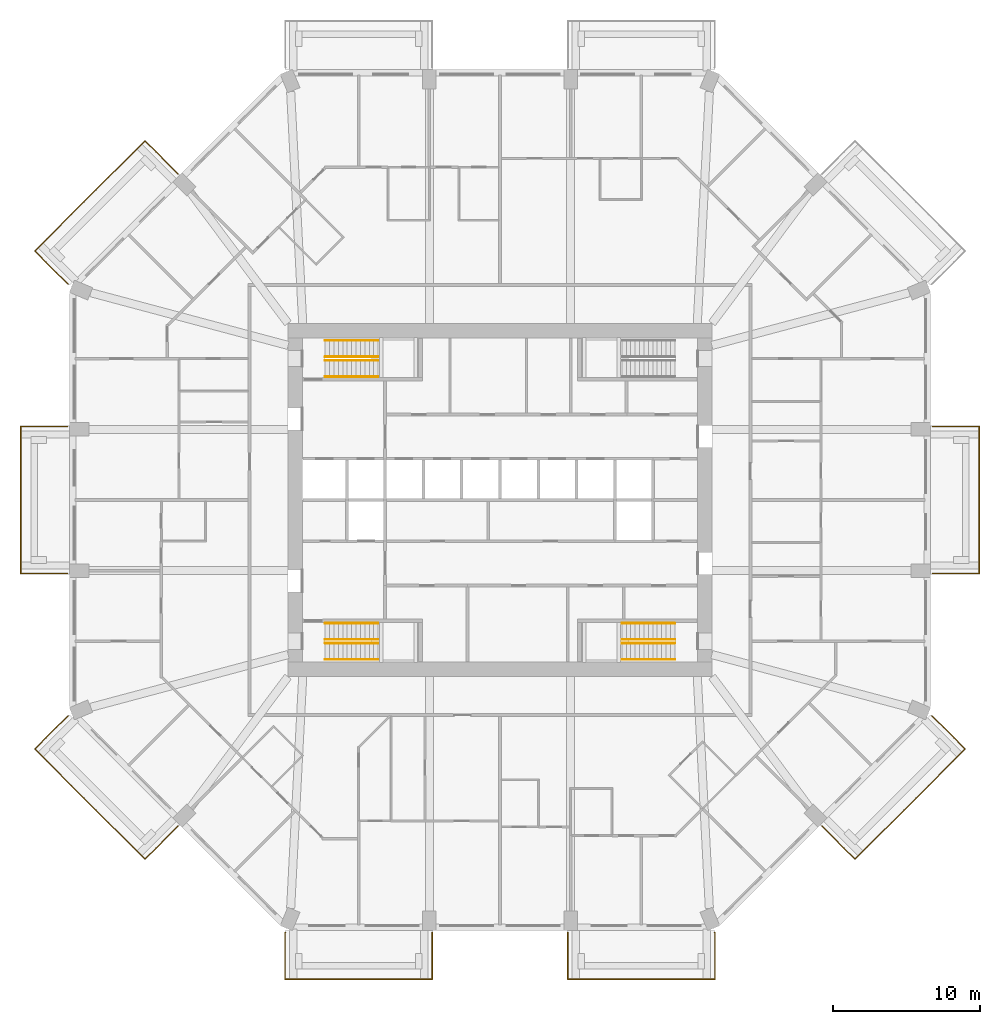
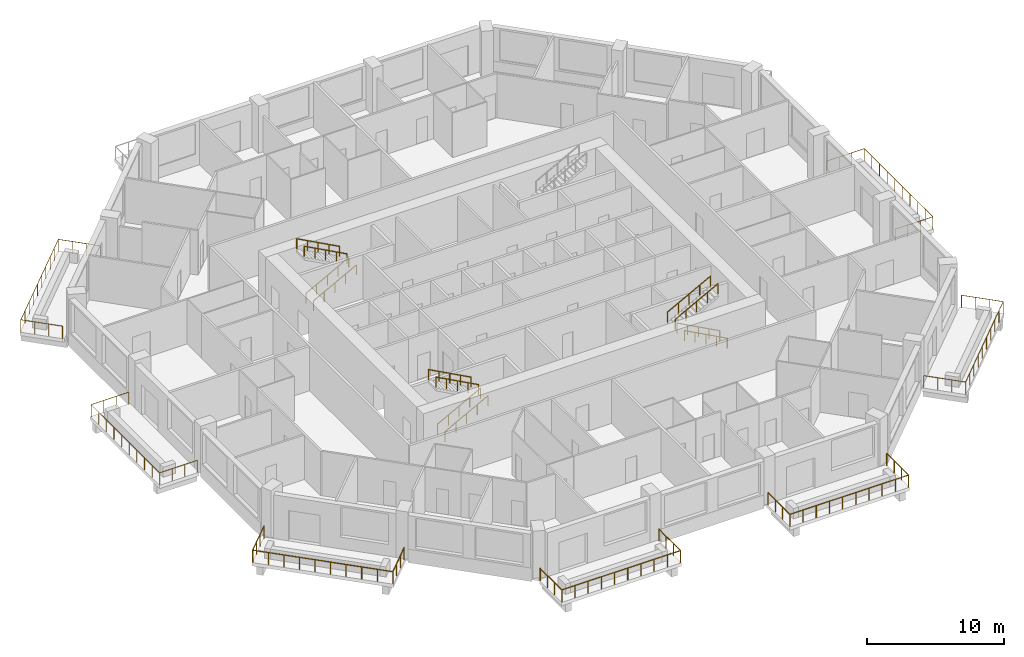
# One storey, part 12 of 13: 19 railings.
"""IFC4 building model written with IfcOpenShell, lengths in metres."""

from ifc_helpers import new_model, si_unit, direction, frame, origin, origin_2d, place, context, subcontext, project, spatial, circle, extrude, material, constituent, constituent_set, type_object, element, save


model = new_model("IFC4")

# Units and contexts
model_context = context("Model", 3, precision=1e-05, world=origin(), true_north=direction((0.0, 1.0)))
body_context = subcontext(model_context, "Body", "Model", "MODEL_VIEW")
ifc_project = project(units=[si_unit("LENGTHUNIT", "METRE"), si_unit("AREAUNIT", "SQUARE_METRE"), si_unit("VOLUMEUNIT", "CUBIC_METRE"), si_unit("PLANEANGLEUNIT", "RADIAN"), si_unit("MASSUNIT", "GRAM", prefix="KILO")], contexts=[model_context])

# Site, building, storey
site_placement = place(None, origin())
site = spatial("IfcSite", under=ifc_project, at=site_placement, CompositionType="ELEMENT")
building_placement = place(site_placement, origin())
building = spatial("IfcBuilding", under=site, at=building_placement, Name="Msitu Wima Residences", CompositionType="ELEMENT")
storey_placement = place(building_placement, frame((0.0, 0.0, 42.300048828125)))
storey = spatial("IfcBuildingStorey", under=building, at=storey_placement, Name="L09", CompositionType="ELEMENT", Elevation=42.300048828125)

# Railings
ifc_material_1 = material(Name="Steel S355", Category="steel")
ifc_constituent_1 = constituent(ifc_material_1, Name="Steel S355")
ifc_material_2 = material(Name="Weathering patina")
ifc_constituent_2 = constituent(ifc_material_2, Name="Weathering patina")
ifc_constituent_set_1 = constituent_set(constituents=[ifc_constituent_1, ifc_constituent_2], Name="Steel S355")
railing_type_1 = type_object("IfcRailingType", Name="Balcony guard GR1100", PredefinedType="GUARDRAIL", material=ifc_constituent_set_1)
railing_1_placement = place(storey_placement, frame((29.3798828125, 5.0, 0.0)))
element("IfcRailing", 1, at=railing_1_placement, inside=storey, type_object=railing_type_1, Name="Balcony guard E1 L09", PredefinedType="GUARDRAIL", context=body_context, shape_type="SweptSolid", body=[
    extrude(circle(Radius=0.02392578125, at=origin_2d()), frame((0.0, 0.0, 1.076171875), z_axis=(1.0, 0.0, 0.0), x_axis=(0.0, 1.0, 0.0)), (0.0, 0.0, 1.0), 3.170166015625),
    extrude(circle(Radius=0.02392578125, at=origin_2d()), frame((3.170166015625, 0.0, 1.076171875), z_axis=(0.0, -1.0, 0.0), x_axis=(1.0, 0.0, 0.0)), (0.0, 0.0, 1.0), 10.0),
    extrude(circle(Radius=0.02392578125, at=origin_2d()), frame((3.170166015625, -10.0, 1.076171875), z_axis=(-1.0, 0.0, 0.0), x_axis=(0.0, -1.0, 0.0)), (0.0, 0.0, 1.0), 3.170166015625),
    extrude(circle(Radius=0.02099609375, at=origin_2d()), origin(), (0.0, 0.0, 1.0), 1.052001953125),
    extrude(circle(Radius=0.02099609375, at=origin_2d()), frame((1.056640625, 0.0, 0.0)), (0.0, 0.0, 1.0), 1.052001953125),
    extrude(circle(Radius=0.02099609375, at=origin_2d()), frame((2.113525390625, 0.0, 0.0)), (0.0, 0.0, 1.0), 1.052001953125),
    extrude(circle(Radius=0.02099609375, at=origin_2d()), frame((3.170166015625, 0.0, 0.0)), (0.0, 0.0, 1.0), 1.052001953125),
    extrude(circle(Radius=0.02099609375, at=origin_2d()), frame((3.170166015625, -1.111083984375, 0.0)), (0.0, 0.0, 1.0), 1.052001953125),
    extrude(circle(Radius=0.02099609375, at=origin_2d()), frame((3.170166015625, -2.22216796875, 0.0)), (0.0, 0.0, 1.0), 1.052001953125),
    extrude(circle(Radius=0.02099609375, at=origin_2d()), frame((3.170166015625, -3.333251953125, 0.0)), (0.0, 0.0, 1.0), 1.052001953125),
    extrude(circle(Radius=0.02099609375, at=origin_2d()), frame((3.170166015625, -4.4443359375, 0.0)), (0.0, 0.0, 1.0), 1.052001953125),
    extrude(circle(Radius=0.02099609375, at=origin_2d()), frame((3.170166015625, -5.5556640625, 0.0)), (0.0, 0.0, 1.0), 1.052001953125),
    extrude(circle(Radius=0.02099609375, at=origin_2d()), frame((3.170166015625, -6.666748046875, 0.0)), (0.0, 0.0, 1.0), 1.052001953125),
    extrude(circle(Radius=0.02099609375, at=origin_2d()), frame((3.170166015625, -7.77783203125, 0.0)), (0.0, 0.0, 1.0), 1.052001953125),
    extrude(circle(Radius=0.02099609375, at=origin_2d()), frame((3.170166015625, -8.888916015625, 0.0)), (0.0, 0.0, 1.0), 1.052001953125),
    extrude(circle(Radius=0.02099609375, at=origin_2d()), frame((3.170166015625, -10.0, 0.0)), (0.0, 0.0, 1.0), 1.052001953125),
    extrude(circle(Radius=0.02099609375, at=origin_2d()), frame((2.113525390625, -10.0, 0.0)), (0.0, 0.0, 1.0), 1.052001953125),
    extrude(circle(Radius=0.02099609375, at=origin_2d()), frame((1.056640625, -10.0, 0.0)), (0.0, 0.0, 1.0), 1.052001953125),
    extrude(circle(Radius=0.02099609375, at=origin_2d()), frame((0.0, -10.0, 0.0)), (0.0, 0.0, 1.0), 1.052001953125),
])
railing_2_placement = place(storey_placement, frame((-29.341796875, 14.678466796875, 0.0)))
element("IfcRailing", 2, at=railing_2_placement, inside=storey, type_object=railing_type_1, Name="Balcony guard NW1 L09", PredefinedType="GUARDRAIL", context=body_context, shape_type="SweptSolid", body=[
    extrude(circle(Radius=0.02392578125, at=origin_2d()), frame((0.0, 0.0, 1.076171875), z_axis=(-0.923276184907, 0.384136806859, 0.0), x_axis=(-0.384136806859, -0.923276184907, 0.0)), (0.0, 0.0, 1.0), 0.0361328125),
    extrude(circle(Radius=0.02392578125, at=origin_2d()), frame((-0.033447265625, 0.013916015625, 1.076171875), z_axis=(-0.707106781187, 0.707106781187, 0.0), x_axis=(-0.707106781187, -0.707106781187, 0.0)), (0.0, 0.0, 1.0), 3.136474609375),
    extrude(circle(Radius=0.02392578125, at=origin_2d()), frame((-2.251220703125, 2.231689453125, 1.076171875), z_axis=(0.70709524572, 0.707118316465, 0.0), x_axis=(-0.707118316465, 0.70709524572, 0.0)), (0.0, 0.0, 1.0), 10.582275390625),
    extrude(circle(Radius=0.02392578125, at=origin_2d()), frame((5.2314453125, 9.714599609375, 1.076171875), z_axis=(0.707145287287, -0.707068272989, 0.0), x_axis=(0.707068272989, 0.707145287287, 0.0)), (0.0, 0.0, 1.0), 3.170166015625),
    extrude(circle(Radius=0.02099609375, at=origin_2d()), origin(), (0.0, 0.0, 1.0), 1.052001953125),
    extrude(circle(Radius=0.02099609375, at=origin_2d()), frame((-0.033447265625, 0.013916015625, 0.0)), (0.0, 0.0, 1.0), 1.052001953125),
    extrude(circle(Radius=0.02099609375, at=origin_2d()), frame((-0.772705078125, 0.753173828125, 0.0)), (0.0, 0.0, 1.0), 1.052001953125),
    extrude(circle(Radius=0.02099609375, at=origin_2d()), frame((-1.511962890625, 1.492431640625, 0.0)), (0.0, 0.0, 1.0), 1.052001953125),
    extrude(circle(Radius=0.02099609375, at=origin_2d()), frame((-2.251220703125, 2.231689453125, 0.0)), (0.0, 0.0, 1.0), 1.052001953125),
    extrude(circle(Radius=0.02099609375, at=origin_2d()), frame((-1.419921875, 3.063232421875, 0.0)), (0.0, 0.0, 1.0), 1.052001953125),
    extrude(circle(Radius=0.02099609375, at=origin_2d()), frame((-0.58837890625, 3.89453125, 0.0)), (0.0, 0.0, 1.0), 1.052001953125),
    extrude(circle(Radius=0.02099609375, at=origin_2d()), frame((0.242919921875, 4.72607421875, 0.0)), (0.0, 0.0, 1.0), 1.052001953125),
    extrude(circle(Radius=0.02099609375, at=origin_2d()), frame((1.074462890625, 5.557373046875, 0.0)), (0.0, 0.0, 1.0), 1.052001953125),
    extrude(circle(Radius=0.02099609375, at=origin_2d()), frame((1.90576171875, 6.388916015625, 0.0)), (0.0, 0.0, 1.0), 1.052001953125),
    extrude(circle(Radius=0.02099609375, at=origin_2d()), frame((2.7373046875, 7.22021484375, 0.0)), (0.0, 0.0, 1.0), 1.052001953125),
    extrude(circle(Radius=0.02099609375, at=origin_2d()), frame((3.568603515625, 8.0517578125, 0.0)), (0.0, 0.0, 1.0), 1.052001953125),
    extrude(circle(Radius=0.02099609375, at=origin_2d()), frame((4.400146484375, 8.883056640625, 0.0)), (0.0, 0.0, 1.0), 1.052001953125),
    extrude(circle(Radius=0.02099609375, at=origin_2d()), frame((5.2314453125, 9.714599609375, 0.0)), (0.0, 0.0, 1.0), 1.052001953125),
    extrude(circle(Radius=0.02099609375, at=origin_2d()), frame((5.978759765625, 8.967529296875, 0.0)), (0.0, 0.0, 1.0), 1.052001953125),
    extrude(circle(Radius=0.02099609375, at=origin_2d()), frame((6.725830078125, 8.22021484375, 0.0)), (0.0, 0.0, 1.0), 1.052001953125),
    extrude(circle(Radius=0.02099609375, at=origin_2d()), frame((7.47314453125, 7.47314453125, 0.0)), (0.0, 0.0, 1.0), 1.052001953125),
])
railing_3_placement = place(storey_placement, frame((-29.3798828125, -5.0, 0.0)))
element("IfcRailing", 3, at=railing_3_placement, inside=storey, type_object=railing_type_1, Name="Balcony guard W1 L09", PredefinedType="GUARDRAIL", context=body_context, shape_type="SweptSolid", body=[
    extrude(circle(Radius=0.02392578125, at=origin_2d()), frame((0.0, 0.0, 1.076171875), z_axis=(-1.0, 0.0, 0.0), x_axis=(0.0, -1.0, 0.0)), (0.0, 0.0, 1.0), 3.170166015625),
    extrude(circle(Radius=0.02392578125, at=origin_2d()), frame((-3.170166015625, 0.0, 1.076171875), z_axis=(0.0, 1.0, 0.0), x_axis=(-1.0, 0.0, 0.0)), (0.0, 0.0, 1.0), 10.0),
    extrude(circle(Radius=0.02392578125, at=origin_2d()), frame((-3.170166015625, 10.0, 1.076171875), z_axis=(1.0, 0.0, 0.0), x_axis=(0.0, 1.0, 0.0)), (0.0, 0.0, 1.0), 3.170166015625),
    extrude(circle(Radius=0.02099609375, at=origin_2d()), origin(), (0.0, 0.0, 1.0), 1.052001953125),
    extrude(circle(Radius=0.02099609375, at=origin_2d()), frame((-1.056640625, 0.0, 0.0)), (0.0, 0.0, 1.0), 1.052001953125),
    extrude(circle(Radius=0.02099609375, at=origin_2d()), frame((-2.113525390625, 0.0, 0.0)), (0.0, 0.0, 1.0), 1.052001953125),
    extrude(circle(Radius=0.02099609375, at=origin_2d()), frame((-3.170166015625, 0.0, 0.0)), (0.0, 0.0, 1.0), 1.052001953125),
    extrude(circle(Radius=0.02099609375, at=origin_2d()), frame((-3.170166015625, 1.111083984375, 0.0)), (0.0, 0.0, 1.0), 1.052001953125),
    extrude(circle(Radius=0.02099609375, at=origin_2d()), frame((-3.170166015625, 2.22216796875, 0.0)), (0.0, 0.0, 1.0), 1.052001953125),
    extrude(circle(Radius=0.02099609375, at=origin_2d()), frame((-3.170166015625, 3.333251953125, 0.0)), (0.0, 0.0, 1.0), 1.052001953125),
    extrude(circle(Radius=0.02099609375, at=origin_2d()), frame((-3.170166015625, 4.4443359375, 0.0)), (0.0, 0.0, 1.0), 1.052001953125),
    extrude(circle(Radius=0.02099609375, at=origin_2d()), frame((-3.170166015625, 5.5556640625, 0.0)), (0.0, 0.0, 1.0), 1.052001953125),
    extrude(circle(Radius=0.02099609375, at=origin_2d()), frame((-3.170166015625, 6.666748046875, 0.0)), (0.0, 0.0, 1.0), 1.052001953125),
    extrude(circle(Radius=0.02099609375, at=origin_2d()), frame((-3.170166015625, 7.77783203125, 0.0)), (0.0, 0.0, 1.0), 1.052001953125),
    extrude(circle(Radius=0.02099609375, at=origin_2d()), frame((-3.170166015625, 8.888916015625, 0.0)), (0.0, 0.0, 1.0), 1.052001953125),
    extrude(circle(Radius=0.02099609375, at=origin_2d()), frame((-3.170166015625, 10.0, 0.0)), (0.0, 0.0, 1.0), 1.052001953125),
    extrude(circle(Radius=0.02099609375, at=origin_2d()), frame((-2.113525390625, 10.0, 0.0)), (0.0, 0.0, 1.0), 1.052001953125),
    extrude(circle(Radius=0.02099609375, at=origin_2d()), frame((-1.056640625, 10.0, 0.0)), (0.0, 0.0, 1.0), 1.052001953125),
    extrude(circle(Radius=0.02099609375, at=origin_2d()), frame((0.0, 10.0, 0.0)), (0.0, 0.0, 1.0), 1.052001953125),
])
railing_4_placement = place(storey_placement, frame((-21.86865234375, -22.151611328125, 0.0)))
element("IfcRailing", 4, at=railing_4_placement, inside=storey, type_object=railing_type_1, Name="Balcony guard SW0 L09", PredefinedType="GUARDRAIL", context=body_context, shape_type="SweptSolid", body=[
    extrude(circle(Radius=0.02392578125, at=origin_2d()), frame((0.0, 0.0, 1.076171875), z_axis=(-0.707145287287, -0.707068272989, 0.0), x_axis=(0.707068272989, -0.707145287287, 0.0)), (0.0, 0.0, 1.0), 3.170166015625),
    extrude(circle(Radius=0.02392578125, at=origin_2d()), frame((-2.24169921875, -2.241455078125, 1.076171875), z_axis=(-0.70709524572, 0.707118316465, 0.0), x_axis=(-0.707118316465, -0.70709524572, 0.0)), (0.0, 0.0, 1.0), 10.582275390625),
    extrude(circle(Radius=0.02392578125, at=origin_2d()), frame((-9.724365234375, 5.241455078125, 1.076171875), z_axis=(0.707106781187, 0.707106781187, 0.0), x_axis=(-0.707106781187, 0.707106781187, 0.0)), (0.0, 0.0, 1.0), 3.136474609375),
    extrude(circle(Radius=0.02392578125, at=origin_2d()), frame((-7.506591796875, 7.459228515625, 1.076171875), z_axis=(0.923276184907, 0.384136806859, 0.0), x_axis=(-0.384136806859, 0.923276184907, 0.0)), (0.0, 0.0, 1.0), 0.0361328125),
    extrude(circle(Radius=0.02099609375, at=origin_2d()), origin(), (0.0, 0.0, 1.0), 1.052001953125),
    extrude(circle(Radius=0.02099609375, at=origin_2d()), frame((-0.747314453125, -0.7470703125, 0.0)), (0.0, 0.0, 1.0), 1.052001953125),
    extrude(circle(Radius=0.02099609375, at=origin_2d()), frame((-1.494384765625, -1.494384765625, 0.0)), (0.0, 0.0, 1.0), 1.052001953125),
    extrude(circle(Radius=0.02099609375, at=origin_2d()), frame((-2.24169921875, -2.241455078125, 0.0)), (0.0, 0.0, 1.0), 1.052001953125),
    extrude(circle(Radius=0.02099609375, at=origin_2d()), frame((-3.072998046875, -1.409912109375, 0.0)), (0.0, 0.0, 1.0), 1.052001953125),
    extrude(circle(Radius=0.02099609375, at=origin_2d()), frame((-3.904541015625, -0.57861328125, 0.0)), (0.0, 0.0, 1.0), 1.052001953125),
    extrude(circle(Radius=0.02099609375, at=origin_2d()), frame((-4.73583984375, 0.2529296875, 0.0)), (0.0, 0.0, 1.0), 1.052001953125),
    extrude(circle(Radius=0.02099609375, at=origin_2d()), frame((-5.5673828125, 1.084228515625, 0.0)), (0.0, 0.0, 1.0), 1.052001953125),
    extrude(circle(Radius=0.02099609375, at=origin_2d()), frame((-6.398681640625, 1.915771484375, 0.0)), (0.0, 0.0, 1.0), 1.052001953125),
    extrude(circle(Radius=0.02099609375, at=origin_2d()), frame((-7.230224609375, 2.7470703125, 0.0)), (0.0, 0.0, 1.0), 1.052001953125),
    extrude(circle(Radius=0.02099609375, at=origin_2d()), frame((-8.0615234375, 3.57861328125, 0.0)), (0.0, 0.0, 1.0), 1.052001953125),
    extrude(circle(Radius=0.02099609375, at=origin_2d()), frame((-8.89306640625, 4.409912109375, 0.0)), (0.0, 0.0, 1.0), 1.052001953125),
    extrude(circle(Radius=0.02099609375, at=origin_2d()), frame((-9.724365234375, 5.241455078125, 0.0)), (0.0, 0.0, 1.0), 1.052001953125),
    extrude(circle(Radius=0.02099609375, at=origin_2d()), frame((-8.985107421875, 5.980712890625, 0.0)), (0.0, 0.0, 1.0), 1.052001953125),
    extrude(circle(Radius=0.02099609375, at=origin_2d()), frame((-8.245849609375, 6.719970703125, 0.0)), (0.0, 0.0, 1.0), 1.052001953125),
    extrude(circle(Radius=0.02099609375, at=origin_2d()), frame((-7.506591796875, 7.459228515625, 0.0)), (0.0, 0.0, 1.0), 1.052001953125),
    extrude(circle(Radius=0.02099609375, at=origin_2d()), frame((-7.47314453125, 7.47314453125, 0.0)), (0.0, 0.0, 1.0), 1.052001953125),
])
railing_5_placement = place(storey_placement, frame((-4.60009765625, -29.3798828125, 0.0)))
element("IfcRailing", 5, at=railing_5_placement, inside=storey, type_object=railing_type_1, Name="Balcony guard S0 L09", PredefinedType="GUARDRAIL", context=body_context, shape_type="SweptSolid", body=[
    extrude(circle(Radius=0.02392578125, at=origin_2d()), frame((0.0, 0.0, 1.076171875), z_axis=(0.0, -1.0, 0.0), x_axis=(1.0, 0.0, 0.0)), (0.0, 0.0, 1.0), 3.170166015625),
    extrude(circle(Radius=0.02392578125, at=origin_2d()), frame((0.0, -3.170166015625, 1.076171875), z_axis=(-1.0, 0.0, 0.0), x_axis=(0.0, -1.0, 0.0)), (0.0, 0.0, 1.0), 10.0),
    extrude(circle(Radius=0.02392578125, at=origin_2d()), frame((-10.0, -3.170166015625, 1.076171875), z_axis=(0.0, 1.0, 0.0), x_axis=(-1.0, 0.0, 0.0)), (0.0, 0.0, 1.0), 3.136474609375),
    extrude(circle(Radius=0.02392578125, at=origin_2d()), frame((-10.0, -0.03369140625, 1.076171875), z_axis=(0.38176015442, 0.92426142649, 0.0), x_axis=(-0.92426142649, 0.38176015442, 0.0)), (0.0, 0.0, 1.0), 0.036376953125),
    extrude(circle(Radius=0.02099609375, at=origin_2d()), origin(), (0.0, 0.0, 1.0), 1.052001953125),
    extrude(circle(Radius=0.02099609375, at=origin_2d()), frame((0.0, -1.056640625, 0.0)), (0.0, 0.0, 1.0), 1.052001953125),
    extrude(circle(Radius=0.02099609375, at=origin_2d()), frame((0.0, -2.113525390625, 0.0)), (0.0, 0.0, 1.0), 1.052001953125),
    extrude(circle(Radius=0.02099609375, at=origin_2d()), frame((0.0, -3.170166015625, 0.0)), (0.0, 0.0, 1.0), 1.052001953125),
    extrude(circle(Radius=0.02099609375, at=origin_2d()), frame((-1.111083984375, -3.170166015625, 0.0)), (0.0, 0.0, 1.0), 1.052001953125),
    extrude(circle(Radius=0.02099609375, at=origin_2d()), frame((-2.22216796875, -3.170166015625, 0.0)), (0.0, 0.0, 1.0), 1.052001953125),
    extrude(circle(Radius=0.02099609375, at=origin_2d()), frame((-3.333251953125, -3.170166015625, 0.0)), (0.0, 0.0, 1.0), 1.052001953125),
    extrude(circle(Radius=0.02099609375, at=origin_2d()), frame((-4.4443359375, -3.170166015625, 0.0)), (0.0, 0.0, 1.0), 1.052001953125),
    extrude(circle(Radius=0.02099609375, at=origin_2d()), frame((-5.5556640625, -3.170166015625, 0.0)), (0.0, 0.0, 1.0), 1.052001953125),
    extrude(circle(Radius=0.02099609375, at=origin_2d()), frame((-6.666748046875, -3.170166015625, 0.0)), (0.0, 0.0, 1.0), 1.052001953125),
    extrude(circle(Radius=0.02099609375, at=origin_2d()), frame((-7.77783203125, -3.170166015625, 0.0)), (0.0, 0.0, 1.0), 1.052001953125),
    extrude(circle(Radius=0.02099609375, at=origin_2d()), frame((-8.888916015625, -3.170166015625, 0.0)), (0.0, 0.0, 1.0), 1.052001953125),
    extrude(circle(Radius=0.02099609375, at=origin_2d()), frame((-10.0, -3.170166015625, 0.0)), (0.0, 0.0, 1.0), 1.052001953125),
    extrude(circle(Radius=0.02099609375, at=origin_2d()), frame((-10.0, -2.124755859375, 0.0)), (0.0, 0.0, 1.0), 1.052001953125),
    extrude(circle(Radius=0.02099609375, at=origin_2d()), frame((-10.0, -1.0791015625, 0.0)), (0.0, 0.0, 1.0), 1.052001953125),
    extrude(circle(Radius=0.02099609375, at=origin_2d()), frame((-10.0, -0.03369140625, 0.0)), (0.0, 0.0, 1.0), 1.052001953125),
    extrude(circle(Radius=0.02099609375, at=origin_2d()), frame((-9.986083984375, 0.0, 0.0)), (0.0, 0.0, 1.0), 1.052001953125),
])
railing_6_placement = place(storey_placement, frame((14.586181640625, -29.3798828125, 0.0)))
element("IfcRailing", 6, at=railing_6_placement, inside=storey, type_object=railing_type_1, Name="Balcony guard S2 L09", PredefinedType="GUARDRAIL", context=body_context, shape_type="SweptSolid", body=[
    extrude(circle(Radius=0.02392578125, at=origin_2d()), frame((0.0, 0.0, 1.076171875), z_axis=(0.38176015442, -0.92426142649, 0.0), x_axis=(0.92426142649, 0.38176015442, 0.0)), (0.0, 0.0, 1.0), 0.036376953125),
    extrude(circle(Radius=0.02392578125, at=origin_2d()), frame((0.013916015625, -0.03369140625, 1.076171875), z_axis=(0.0, -1.0, 0.0), x_axis=(1.0, 0.0, 0.0)), (0.0, 0.0, 1.0), 3.136474609375),
    extrude(circle(Radius=0.02392578125, at=origin_2d()), frame((0.013916015625, -3.170166015625, 1.076171875), z_axis=(-1.0, 0.0, 0.0), x_axis=(0.0, -1.0, 0.0)), (0.0, 0.0, 1.0), 10.0),
    extrude(circle(Radius=0.02392578125, at=origin_2d()), frame((-9.986083984375, -3.170166015625, 1.076171875), z_axis=(0.0, 1.0, 0.0), x_axis=(-1.0, 0.0, 0.0)), (0.0, 0.0, 1.0), 3.170166015625),
    extrude(circle(Radius=0.02099609375, at=origin_2d()), origin(), (0.0, 0.0, 1.0), 1.052001953125),
    extrude(circle(Radius=0.02099609375, at=origin_2d()), frame((0.013916015625, -0.03369140625, 0.0)), (0.0, 0.0, 1.0), 1.052001953125),
    extrude(circle(Radius=0.02099609375, at=origin_2d()), frame((0.013916015625, -1.0791015625, 0.0)), (0.0, 0.0, 1.0), 1.052001953125),
    extrude(circle(Radius=0.02099609375, at=origin_2d()), frame((0.013916015625, -2.124755859375, 0.0)), (0.0, 0.0, 1.0), 1.052001953125),
    extrude(circle(Radius=0.02099609375, at=origin_2d()), frame((0.013916015625, -3.170166015625, 0.0)), (0.0, 0.0, 1.0), 1.052001953125),
    extrude(circle(Radius=0.02099609375, at=origin_2d()), frame((-1.09716796875, -3.170166015625, 0.0)), (0.0, 0.0, 1.0), 1.052001953125),
    extrude(circle(Radius=0.02099609375, at=origin_2d()), frame((-2.208251953125, -3.170166015625, 0.0)), (0.0, 0.0, 1.0), 1.052001953125),
    extrude(circle(Radius=0.02099609375, at=origin_2d()), frame((-3.3193359375, -3.170166015625, 0.0)), (0.0, 0.0, 1.0), 1.052001953125),
    extrude(circle(Radius=0.02099609375, at=origin_2d()), frame((-4.430419921875, -3.170166015625, 0.0)), (0.0, 0.0, 1.0), 1.052001953125),
    extrude(circle(Radius=0.02099609375, at=origin_2d()), frame((-5.541748046875, -3.170166015625, 0.0)), (0.0, 0.0, 1.0), 1.052001953125),
    extrude(circle(Radius=0.02099609375, at=origin_2d()), frame((-6.65283203125, -3.170166015625, 0.0)), (0.0, 0.0, 1.0), 1.052001953125),
    extrude(circle(Radius=0.02099609375, at=origin_2d()), frame((-7.763916015625, -3.170166015625, 0.0)), (0.0, 0.0, 1.0), 1.052001953125),
    extrude(circle(Radius=0.02099609375, at=origin_2d()), frame((-8.875, -3.170166015625, 0.0)), (0.0, 0.0, 1.0), 1.052001953125),
    extrude(circle(Radius=0.02099609375, at=origin_2d()), frame((-9.986083984375, -3.170166015625, 0.0)), (0.0, 0.0, 1.0), 1.052001953125),
    extrude(circle(Radius=0.02099609375, at=origin_2d()), frame((-9.986083984375, -2.113525390625, 0.0)), (0.0, 0.0, 1.0), 1.052001953125),
    extrude(circle(Radius=0.02099609375, at=origin_2d()), frame((-9.986083984375, -1.056640625, 0.0)), (0.0, 0.0, 1.0), 1.052001953125),
    extrude(circle(Radius=0.02099609375, at=origin_2d()), frame((-9.986083984375, 0.0, 0.0)), (0.0, 0.0, 1.0), 1.052001953125),
])
railing_7_placement = place(storey_placement, frame((29.341796875, -14.678466796875, 0.0)))
element("IfcRailing", 7, at=railing_7_placement, inside=storey, type_object=railing_type_1, Name="Balcony guard SE1 L09", PredefinedType="GUARDRAIL", context=body_context, shape_type="SweptSolid", body=[
    extrude(circle(Radius=0.02392578125, at=origin_2d()), frame((0.0, 0.0, 1.076171875), z_axis=(0.923276184907, -0.384136806859, 0.0), x_axis=(0.384136806859, 0.923276184907, 0.0)), (0.0, 0.0, 1.0), 0.0361328125),
    extrude(circle(Radius=0.02392578125, at=origin_2d()), frame((0.033447265625, -0.013916015625, 1.076171875), z_axis=(0.707106781187, -0.707106781187, 0.0), x_axis=(0.707106781187, 0.707106781187, 0.0)), (0.0, 0.0, 1.0), 3.136474609375),
    extrude(circle(Radius=0.02392578125, at=origin_2d()), frame((2.251220703125, -2.231689453125, 1.076171875), z_axis=(-0.70709524572, -0.707118316465, 0.0), x_axis=(0.707118316465, -0.70709524572, 0.0)), (0.0, 0.0, 1.0), 10.582275390625),
    extrude(circle(Radius=0.02392578125, at=origin_2d()), frame((-5.2314453125, -9.714599609375, 1.076171875), z_axis=(-0.707145287287, 0.707068272989, 0.0), x_axis=(-0.707068272989, -0.707145287287, 0.0)), (0.0, 0.0, 1.0), 3.170166015625),
    extrude(circle(Radius=0.02099609375, at=origin_2d()), origin(), (0.0, 0.0, 1.0), 1.052001953125),
    extrude(circle(Radius=0.02099609375, at=origin_2d()), frame((0.033447265625, -0.013916015625, 0.0)), (0.0, 0.0, 1.0), 1.052001953125),
    extrude(circle(Radius=0.02099609375, at=origin_2d()), frame((0.772705078125, -0.753173828125, 0.0)), (0.0, 0.0, 1.0), 1.052001953125),
    extrude(circle(Radius=0.02099609375, at=origin_2d()), frame((1.511962890625, -1.492431640625, 0.0)), (0.0, 0.0, 1.0), 1.052001953125),
    extrude(circle(Radius=0.02099609375, at=origin_2d()), frame((2.251220703125, -2.231689453125, 0.0)), (0.0, 0.0, 1.0), 1.052001953125),
    extrude(circle(Radius=0.02099609375, at=origin_2d()), frame((1.419921875, -3.063232421875, 0.0)), (0.0, 0.0, 1.0), 1.052001953125),
    extrude(circle(Radius=0.02099609375, at=origin_2d()), frame((0.58837890625, -3.89453125, 0.0)), (0.0, 0.0, 1.0), 1.052001953125),
    extrude(circle(Radius=0.02099609375, at=origin_2d()), frame((-0.242919921875, -4.72607421875, 0.0)), (0.0, 0.0, 1.0), 1.052001953125),
    extrude(circle(Radius=0.02099609375, at=origin_2d()), frame((-1.074462890625, -5.557373046875, 0.0)), (0.0, 0.0, 1.0), 1.052001953125),
    extrude(circle(Radius=0.02099609375, at=origin_2d()), frame((-1.90576171875, -6.388916015625, 0.0)), (0.0, 0.0, 1.0), 1.052001953125),
    extrude(circle(Radius=0.02099609375, at=origin_2d()), frame((-2.7373046875, -7.22021484375, 0.0)), (0.0, 0.0, 1.0), 1.052001953125),
    extrude(circle(Radius=0.02099609375, at=origin_2d()), frame((-3.568603515625, -8.0517578125, 0.0)), (0.0, 0.0, 1.0), 1.052001953125),
    extrude(circle(Radius=0.02099609375, at=origin_2d()), frame((-4.400146484375, -8.883056640625, 0.0)), (0.0, 0.0, 1.0), 1.052001953125),
    extrude(circle(Radius=0.02099609375, at=origin_2d()), frame((-5.2314453125, -9.714599609375, 0.0)), (0.0, 0.0, 1.0), 1.052001953125),
    extrude(circle(Radius=0.02099609375, at=origin_2d()), frame((-5.978759765625, -8.967529296875, 0.0)), (0.0, 0.0, 1.0), 1.052001953125),
    extrude(circle(Radius=0.02099609375, at=origin_2d()), frame((-6.725830078125, -8.22021484375, 0.0)), (0.0, 0.0, 1.0), 1.052001953125),
    extrude(circle(Radius=0.02099609375, at=origin_2d()), frame((-7.47314453125, -7.47314453125, 0.0)), (0.0, 0.0, 1.0), 1.052001953125),
])
ifc_constituent_3 = constituent(ifc_material_1, Name="Steel S355")
ifc_material_3 = material(Name="Black powder coating")
ifc_constituent_4 = constituent(ifc_material_3, Name="Black powder coating")
ifc_constituent_set_2 = constituent_set(constituents=[ifc_constituent_3, ifc_constituent_4], Name="Steel S355")
railing_type_2 = type_object("IfcRailingType", Name="Stair handrail HR1", PredefinedType="HANDRAIL", material=ifc_constituent_set_2)
for number, where, name in (
    (8, (-11.875, 8.375, 0.161376953125), "Stair 1 handrail"),
    (9, (-11.875, 9.47509765625, 0.161376953125), "Stair 1 handrail"),
):
    element("IfcRailing", number, at=place(storey_placement, frame(where)), inside=storey, type_object=railing_type_2, Name=name, PredefinedType="HANDRAIL", context=body_context, shape_type="SweptSolid", body=[
        extrude(circle(Radius=0.02392578125, at=origin_2d()), frame((0.0, 0.0, 0.8759765625), z_axis=(0.880474934443, 0.0, 0.474092701714), x_axis=(0.0, 1.0, 0.0)), (0.0, 0.0, 1.0), 4.0888671875),
        extrude(circle(Radius=0.02099609375, at=origin_2d()), origin(), (0.0, 0.0, 1.0), 0.851806640625),
        extrude(circle(Radius=0.02099609375, at=origin_2d()), frame((0.89990234375, 0.0, 0.484619140625)), (0.0, 0.0, 1.0), 0.851806640625),
        extrude(circle(Radius=0.02099609375, at=origin_2d()), frame((1.800048828125, 0.0, 0.96923828125)), (0.0, 0.0, 1.0), 0.851806640625),
        extrude(circle(Radius=0.02099609375, at=origin_2d()), frame((2.7001953125, 0.0, 1.453857421875)), (0.0, 0.0, 1.0), 0.851806640625),
        extrude(circle(Radius=0.02099609375, at=origin_2d()), frame((3.60009765625, 0.0, 1.9384765625)), (0.0, 0.0, 1.0), 0.851806640625),
    ])
for number, where, name in (
    (10, (-8.27490234375, 9.72509765625, 2.261474609375), "Stair 1 handrail"),
    (11, (-8.27490234375, 10.824951171875, 2.261474609375), "Stair 1 handrail"),
):
    element("IfcRailing", number, at=place(storey_placement, frame(where)), inside=storey, type_object=railing_type_2, Name=name, PredefinedType="HANDRAIL", context=body_context, shape_type="SweptSolid", body=[
        extrude(circle(Radius=0.02392578125, at=origin_2d()), frame((0.0, 0.0, 0.8759765625), z_axis=(-0.880474934443, 0.0, 0.474092701714), x_axis=(0.0, -1.0, 0.0)), (0.0, 0.0, 1.0), 4.0888671875),
        extrude(circle(Radius=0.02099609375, at=origin_2d()), origin(), (0.0, 0.0, 1.0), 0.851806640625),
        extrude(circle(Radius=0.02099609375, at=origin_2d()), frame((-0.89990234375, 0.0, 0.484619140625)), (0.0, 0.0, 1.0), 0.851806640625),
        extrude(circle(Radius=0.02099609375, at=origin_2d()), frame((-1.800048828125, 0.0, 0.96923828125)), (0.0, 0.0, 1.0), 0.851806640625),
        extrude(circle(Radius=0.02099609375, at=origin_2d()), frame((-2.7001953125, 0.0, 1.453857421875)), (0.0, 0.0, 1.0), 0.851806640625),
        extrude(circle(Radius=0.02099609375, at=origin_2d()), frame((-3.60009765625, 0.0, 1.9384765625)), (0.0, 0.0, 1.0), 0.851806640625),
    ])
for number, where, name in (
    (12, (-11.875, -10.824951171875, 0.161376953125), "Stair 2 handrail"),
    (13, (-11.875, -9.72509765625, 0.161376953125), "Stair 2 handrail"),
):
    element("IfcRailing", number, at=place(storey_placement, frame(where)), inside=storey, type_object=railing_type_2, Name=name, PredefinedType="HANDRAIL", context=body_context, shape_type="SweptSolid", body=[
        extrude(circle(Radius=0.02392578125, at=origin_2d()), frame((0.0, 0.0, 0.8759765625), z_axis=(0.880474934443, 0.0, 0.474092701714), x_axis=(0.0, 1.0, 0.0)), (0.0, 0.0, 1.0), 4.0888671875),
        extrude(circle(Radius=0.02099609375, at=origin_2d()), origin(), (0.0, 0.0, 1.0), 0.851806640625),
        extrude(circle(Radius=0.02099609375, at=origin_2d()), frame((0.89990234375, 0.0, 0.484619140625)), (0.0, 0.0, 1.0), 0.851806640625),
        extrude(circle(Radius=0.02099609375, at=origin_2d()), frame((1.800048828125, 0.0, 0.96923828125)), (0.0, 0.0, 1.0), 0.851806640625),
        extrude(circle(Radius=0.02099609375, at=origin_2d()), frame((2.7001953125, 0.0, 1.453857421875)), (0.0, 0.0, 1.0), 0.851806640625),
        extrude(circle(Radius=0.02099609375, at=origin_2d()), frame((3.60009765625, 0.0, 1.9384765625)), (0.0, 0.0, 1.0), 0.851806640625),
    ])
for number, where, name in (
    (14, (-8.27490234375, -9.47509765625, 2.261474609375), "Stair 2 handrail"),
    (15, (-8.27490234375, -8.375, 2.261474609375), "Stair 2 handrail"),
    (16, (11.875, -10.824951171875, 0.161376953125), "Stair 4 handrail"),
    (17, (11.875, -9.72509765625, 0.161376953125), "Stair 4 handrail"),
):
    element("IfcRailing", number, at=place(storey_placement, frame(where)), inside=storey, type_object=railing_type_2, Name=name, PredefinedType="HANDRAIL", context=body_context, shape_type="SweptSolid", body=[
        extrude(circle(Radius=0.02392578125, at=origin_2d()), frame((0.0, 0.0, 0.8759765625), z_axis=(-0.880474934443, 0.0, 0.474092701714), x_axis=(0.0, -1.0, 0.0)), (0.0, 0.0, 1.0), 4.0888671875),
        extrude(circle(Radius=0.02099609375, at=origin_2d()), origin(), (0.0, 0.0, 1.0), 0.851806640625),
        extrude(circle(Radius=0.02099609375, at=origin_2d()), frame((-0.89990234375, 0.0, 0.484619140625)), (0.0, 0.0, 1.0), 0.851806640625),
        extrude(circle(Radius=0.02099609375, at=origin_2d()), frame((-1.800048828125, 0.0, 0.96923828125)), (0.0, 0.0, 1.0), 0.851806640625),
        extrude(circle(Radius=0.02099609375, at=origin_2d()), frame((-2.7001953125, 0.0, 1.453857421875)), (0.0, 0.0, 1.0), 0.851806640625),
        extrude(circle(Radius=0.02099609375, at=origin_2d()), frame((-3.60009765625, 0.0, 1.9384765625)), (0.0, 0.0, 1.0), 0.851806640625),
    ])
for number, where, name in (
    (18, (8.27490234375, -9.47509765625, 2.261474609375), "Stair 4 handrail"),
    (19, (8.27490234375, -8.375, 2.261474609375), "Stair 4 handrail"),
):
    element("IfcRailing", number, at=place(storey_placement, frame(where)), inside=storey, type_object=railing_type_2, Name=name, PredefinedType="HANDRAIL", context=body_context, shape_type="SweptSolid", body=[
        extrude(circle(Radius=0.02392578125, at=origin_2d()), frame((0.0, 0.0, 0.8759765625), z_axis=(0.880474934443, 0.0, 0.474092701714), x_axis=(0.0, 1.0, 0.0)), (0.0, 0.0, 1.0), 4.0888671875),
        extrude(circle(Radius=0.02099609375, at=origin_2d()), origin(), (0.0, 0.0, 1.0), 0.851806640625),
        extrude(circle(Radius=0.02099609375, at=origin_2d()), frame((0.89990234375, 0.0, 0.484619140625)), (0.0, 0.0, 1.0), 0.851806640625),
        extrude(circle(Radius=0.02099609375, at=origin_2d()), frame((1.800048828125, 0.0, 0.96923828125)), (0.0, 0.0, 1.0), 0.851806640625),
        extrude(circle(Radius=0.02099609375, at=origin_2d()), frame((2.7001953125, 0.0, 1.453857421875)), (0.0, 0.0, 1.0), 0.851806640625),
        extrude(circle(Radius=0.02099609375, at=origin_2d()), frame((3.60009765625, 0.0, 1.9384765625)), (0.0, 0.0, 1.0), 0.851806640625),
    ])

save(model, "model.ifc")
